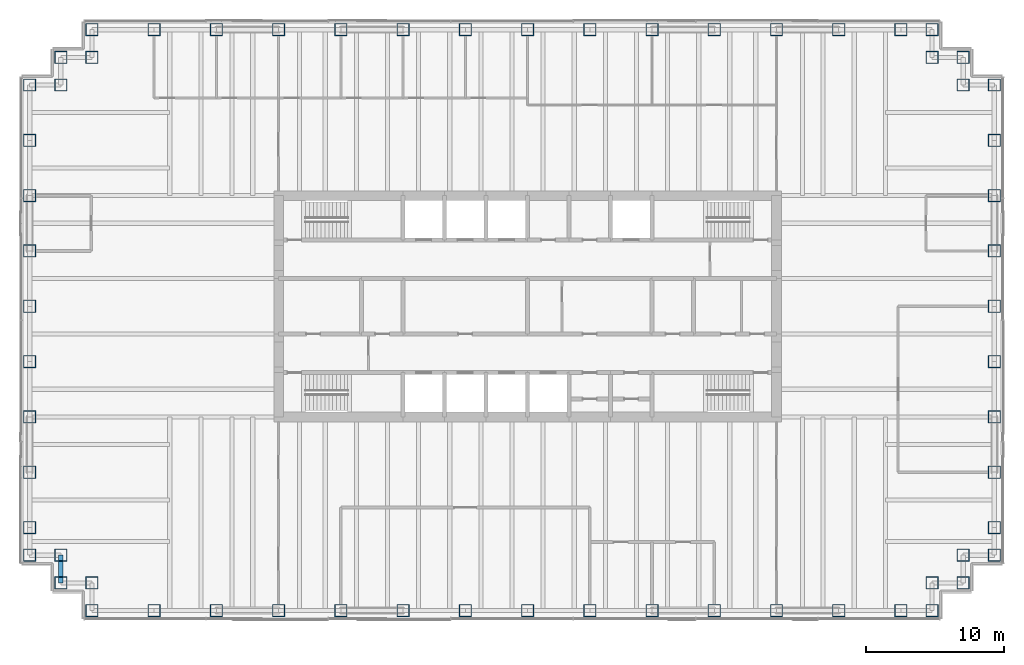
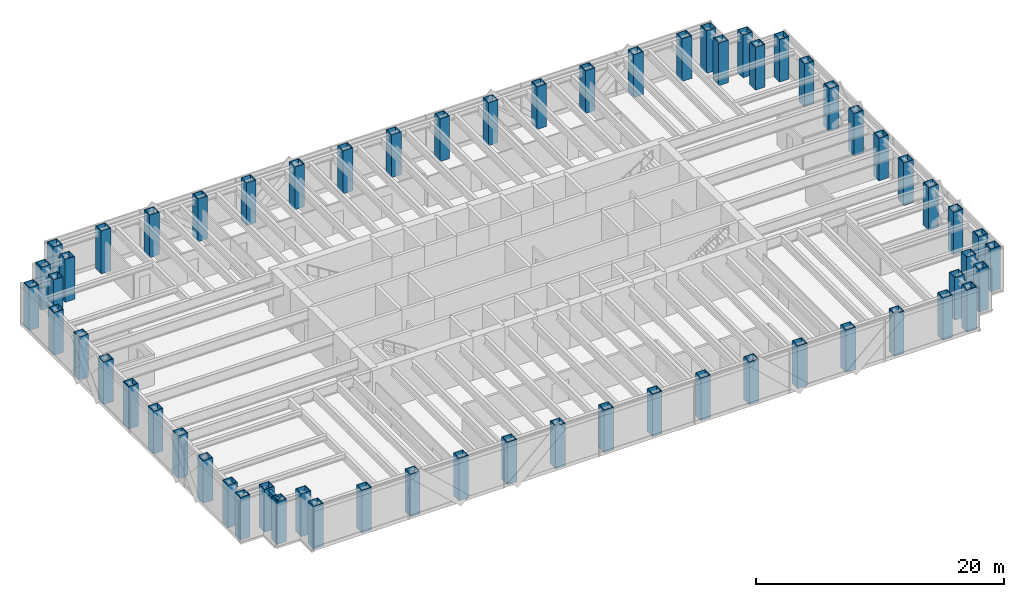
# One storey, part 1 of 17: 62 columns, 1 beam.
"""IFC4 building model written with IfcOpenShell, lengths in metres."""

from ifc_helpers import new_model, si_unit, direction, frame, origin, origin_2d, place, context, subcontext, project, spatial, hollow_rectangle, i_section, extrude, material, material_profile, profile_set, type_object, element, save


model = new_model("IFC4")

# Units and contexts
model_context = context("Model", 3, precision=1e-05, world=origin(), true_north=direction((0.0, 1.0)))
body_context = subcontext(model_context, "Body", "Model", "MODEL_VIEW")
ifc_project = project(units=[si_unit("LENGTHUNIT", "METRE"), si_unit("AREAUNIT", "SQUARE_METRE"), si_unit("VOLUMEUNIT", "CUBIC_METRE"), si_unit("PLANEANGLEUNIT", "RADIAN"), si_unit("MASSUNIT", "GRAM", prefix="KILO")], contexts=[model_context])

# Site, building, storey
site_placement = place(None, origin())
site = spatial("IfcSite", under=ifc_project, at=site_placement, CompositionType="ELEMENT")
building_placement = place(site_placement, origin())
building = spatial("IfcBuilding", under=site, at=building_placement, Name="Rheinbord Bourse Tower", CompositionType="ELEMENT")
storey_placement = place(building_placement, frame((0.0, 0.0, 321.5)))
storey = spatial("IfcBuildingStorey", under=building, at=storey_placement, Name="L73", CompositionType="ELEMENT", Elevation=321.5)

# Columns
ifc_material_1 = material(Name="Steel S460M", Category="steel")
ifc_material_profile_1 = material_profile(ifc_material_1, hollow_rectangle(XDim=0.89990234375, YDim=0.89990234375, WallThickness=0.050048828125, at=origin_2d()), Name="BOX 900x900x50")
ifc_profile_set_1 = profile_set([ifc_material_profile_1], Name="Steel S460M")
column_type = type_object("IfcColumnType", Name="TUBE COLUMN BOX 900x900x50", PredefinedType="COLUMN", material=ifc_profile_set_1)
for number, where, z_axis, x_axis, name in (
    (1, (4.5, 2.0, 0.0), (0.0, 0.0, 1.0), (0.0, 1.0, 0.0), "Column SW-E L73"),
    (2, (9.0, 2.0, 0.0), (0.0, 0.0, 1.0), (0.0, 1.0, 0.0), "Column S-9 L73"),
    (3, (13.5, 2.0, 0.0), (0.0, 0.0, 1.0), (0.0, 1.0, 0.0), "Column S-13.5 L73"),
    (4, (18.0, 2.0, 0.0), (0.0, 0.0, 1.0), (0.0, 1.0, 0.0), "Column S-18 L73"),
    (5, (22.5, 2.0, 0.0), (0.0, 0.0, 1.0), (0.0, 1.0, 0.0), "Column S-22.5 L73"),
    (6, (27.0, 2.0, 0.0), (0.0, 0.0, 1.0), (0.0, 1.0, 0.0), "Column S-27 L73"),
    (7, (31.5, 2.0, 0.0), (0.0, 0.0, 1.0), (0.0, 1.0, 0.0), "Column S-31.5 L73"),
    (8, (36.0, 2.0, 0.0), (0.0, 0.0, 1.0), (0.0, 1.0, 0.0), "Column S-36 L73"),
    (9, (40.5, 2.0, 0.0), (0.0, 0.0, 1.0), (0.0, 1.0, 0.0), "Column S-40.5 L73"),
    (10, (45.0, 2.0, 0.0), (0.0, 0.0, 1.0), (0.0, 1.0, 0.0), "Column S-45 L73"),
    (11, (49.5, 2.0, 0.0), (0.0, 0.0, 1.0), (0.0, 1.0, 0.0), "Column S-49.5 L73"),
    (12, (54.0, 2.0, 0.0), (0.0, 0.0, 1.0), (0.0, 1.0, 0.0), "Column S-54 L73"),
    (13, (58.5, 2.0, 0.0), (0.0, 0.0, 1.0), (0.0, 1.0, 0.0), "Column S-58.5 L73"),
    (14, (63.0, 2.0, 0.0), (0.0, 0.0, 1.0), (0.0, 1.0, 0.0), "Column S-63 L73"),
    (15, (65.25, 2.0, 0.0), (0.0, 0.0, 1.0), (0.0, 1.0, 0.0), "Column SE-E L73"),
    (16, (65.25, 4.0, 0.0), (0.0, 0.0, 1.0), (0.0, 1.0, 0.0), "Column SE-D L73"),
    (17, (67.5, 4.0, 0.0), (0.0, 0.0, 1.0), (1.0, 0.0, 0.0), "Column SE-C L73"),
    (18, (67.5, 6.0, 0.0), (0.0, 0.0, 1.0), (1.0, 0.0, 0.0), "Column SE-B L73"),
    (19, (69.75, 6.0, 0.0), (0.0, 0.0, 1.0), (1.0, 0.0, 0.0), "Column SE-A L73"),
    (20, (69.75, 8.0, 0.0), (0.0, 0.0, 1.0), (1.0, 0.0, 0.0), "Column E-8 L73"),
    (21, (69.75, 12.0, 0.0), (0.0, 0.0, 1.0), (1.0, 0.0, 0.0), "Column E-12 L73"),
    (22, (69.75, 16.0, 0.0), (0.0, 0.0, 1.0), (1.0, 0.0, 0.0), "Column E-16 L73"),
    (23, (69.75, 20.0, 0.0), (0.0, 0.0, 1.0), (1.0, 0.0, 0.0), "Column E-20 L73"),
    (24, (69.75, 24.0, 0.0), (0.0, 0.0, 1.0), (1.0, 0.0, 0.0), "Column E-24 L73"),
    (25, (69.75, 28.0, 0.0), (0.0, 0.0, 1.0), (1.0, 0.0, 0.0), "Column E-28 L73"),
    (26, (69.75, 32.0, 0.0), (0.0, 0.0, 1.0), (1.0, 0.0, 0.0), "Column E-32 L73"),
    (27, (69.75, 36.0, 0.0), (0.0, 0.0, 1.0), (1.0, 0.0, 0.0), "Column E-36 L73"),
    (28, (69.75, 40.0, 0.0), (0.0, 0.0, 1.0), (1.0, 0.0, 0.0), "Column NE-A L73"),
    (29, (67.5, 40.0, 0.0), (0.0, 0.0, 1.0), (1.0, 0.0, 0.0), "Column NE-B L73"),
    (30, (67.5, 42.0, 0.0), (0.0, 0.0, 1.0), (1.0, 0.0, 0.0), "Column NE-C L73"),
    (31, (65.25, 42.0, 0.0), (0.0, 0.0, 1.0), (0.0, 1.0, 0.0), "Column NE-D L73"),
    (32, (65.25, 44.0, 0.0), (0.0, 0.0, 1.0), (0.0, 1.0, 0.0), "Column NE-E L73"),
    (33, (63.0, 44.0, 0.0), (0.0, 0.0, 1.0), (0.0, 1.0, 0.0), "Column N-63 L73"),
    (34, (58.5, 44.0, 0.0), (0.0, 0.0, 1.0), (0.0, 1.0, 0.0), "Column N-58.5 L73"),
    (35, (54.0, 44.0, 0.0), (0.0, 0.0, 1.0), (0.0, 1.0, 0.0), "Column N-54 L73"),
    (36, (49.5, 44.0, 0.0), (0.0, 0.0, 1.0), (0.0, 1.0, 0.0), "Column N-49.5 L73"),
    (37, (45.0, 44.0, 0.0), (0.0, 0.0, 1.0), (0.0, 1.0, 0.0), "Column N-45 L73"),
    (38, (40.5, 44.0, 0.0), (0.0, 0.0, 1.0), (0.0, 1.0, 0.0), "Column N-40.5 L73"),
    (39, (36.0, 44.0, 0.0), (0.0, 0.0, 1.0), (0.0, 1.0, 0.0), "Column N-36 L73"),
    (40, (31.5, 44.0, 0.0), (0.0, 0.0, 1.0), (0.0, 1.0, 0.0), "Column N-31.5 L73"),
    (41, (27.0, 44.0, 0.0), (0.0, 0.0, 1.0), (0.0, 1.0, 0.0), "Column N-27 L73"),
    (42, (22.5, 44.0, 0.0), (0.0, 0.0, 1.0), (0.0, 1.0, 0.0), "Column N-22.5 L73"),
    (43, (18.0, 44.0, 0.0), (0.0, 0.0, 1.0), (0.0, 1.0, 0.0), "Column N-18 L73"),
    (44, (13.5, 44.0, 0.0), (0.0, 0.0, 1.0), (0.0, 1.0, 0.0), "Column N-13.5 L73"),
    (45, (9.0, 44.0, 0.0), (0.0, 0.0, 1.0), (0.0, 1.0, 0.0), "Column N-9 L73"),
    (46, (4.5, 44.0, 0.0), (0.0, 0.0, 1.0), (0.0, 1.0, 0.0), "Column NW-E L73"),
    (47, (4.5, 42.0, 0.0), (0.0, 0.0, 1.0), (0.0, 1.0, 0.0), "Column NW-D L73"),
    (48, (2.25, 42.0, 0.0), (0.0, 0.0, 1.0), (1.0, 0.0, 0.0), "Column NW-C L73"),
    (49, (2.25, 40.0, 0.0), (0.0, 0.0, 1.0), (1.0, 0.0, 0.0), "Column NW-B L73"),
    (50, (0.0, 40.0, 0.0), (0.0, 0.0, 1.0), (1.0, 0.0, 0.0), "Column NW-A L73"),
    (51, (0.0, 36.0, 0.0), (0.0, 0.0, 1.0), (1.0, 0.0, 0.0), "Column W-36 L73"),
    (52, (0.0, 32.0, 0.0), (0.0, 0.0, 1.0), (1.0, 0.0, 0.0), "Column W-32 L73"),
    (53, (0.0, 28.0, 0.0), (0.0, 0.0, 1.0), (1.0, 0.0, 0.0), "Column W-28 L73"),
    (54, (0.0, 24.0, 0.0), (0.0, 0.0, 1.0), (1.0, 0.0, 0.0), "Column W-24 L73"),
    (55, (0.0, 20.0, 0.0), (0.0, 0.0, 1.0), (1.0, 0.0, 0.0), "Column W-20 L73"),
    (56, (0.0, 16.0, 0.0), (0.0, 0.0, 1.0), (1.0, 0.0, 0.0), "Column W-16 L73"),
    (57, (0.0, 12.0, 0.0), (0.0, 0.0, 1.0), (1.0, 0.0, 0.0), "Column W-12 L73"),
    (58, (0.0, 8.0, 0.0), (0.0, 0.0, 1.0), (1.0, 0.0, 0.0), "Column W-8 L73"),
    (59, (0.0, 6.0, 0.0), (0.0, 0.0, 1.0), (1.0, 0.0, 0.0), "Column SW-A L73"),
    (60, (2.25, 6.0, 0.0), (0.0, 0.0, 1.0), (1.0, 0.0, 0.0), "Column SW-B L73"),
    (61, (2.25, 4.0, 0.0), (0.0, 0.0, 1.0), (1.0, 0.0, 0.0), "Column SW-C L73"),
    (62, (4.5, 4.0, 0.0), (0.0, 0.0, 1.0), (0.0, 1.0, 0.0), "Column SW-D L73"),
):
    element("IfcColumn", number, at=place(storey_placement, frame(where, z_axis=z_axis, x_axis=x_axis)), inside=storey, type_object=column_type, Name=name, PredefinedType="COLUMN", context=body_context, shape_type="SweptSolid", body=[
        extrude(hollow_rectangle(XDim=0.89990234375, YDim=0.89990234375, WallThickness=0.050048828125, at=origin_2d()), origin(), (0.0, 0.0, 1.0), 4.199951171875),
    ])

# Beam
ifc_material_2 = material(Name="Steel S460", Category="steel")
ifc_material_profile_2 = material_profile(ifc_material_2, i_section(OverallWidth=0.300048828125, OverallDepth=0.550048828125, WebThickness=0.014892578125, FlangeThickness=0.029052734375, at=origin_2d()), Name="HEB 550")
ifc_profile_set_2 = profile_set([ifc_material_profile_2], Name="Steel S460")
beam_type = type_object("IfcBeamType", Name="SPANDREL HEB 550", PredefinedType="SPANDREL", material=ifc_profile_set_2)
beam_placement = place(storey_placement, frame((2.25, 6.0, 3.764892578125), z_axis=(0.0, -1.0, 0.0), x_axis=(1.0, 0.0, 0.0)))
element("IfcBeam", 63, at=beam_placement, inside=storey, type_object=beam_type, Name="Spandrel SW-B-SW-C under L74", PredefinedType="SPANDREL", context=body_context, shape_type="SweptSolid", body=[
    extrude(i_section(OverallWidth=0.300048828125, OverallDepth=0.550048828125, WebThickness=0.014892578125, FlangeThickness=0.029052734375, at=origin_2d()), origin(), (0.0, 0.0, 1.0), 2.0),
])

save(model, "model.ifc")
